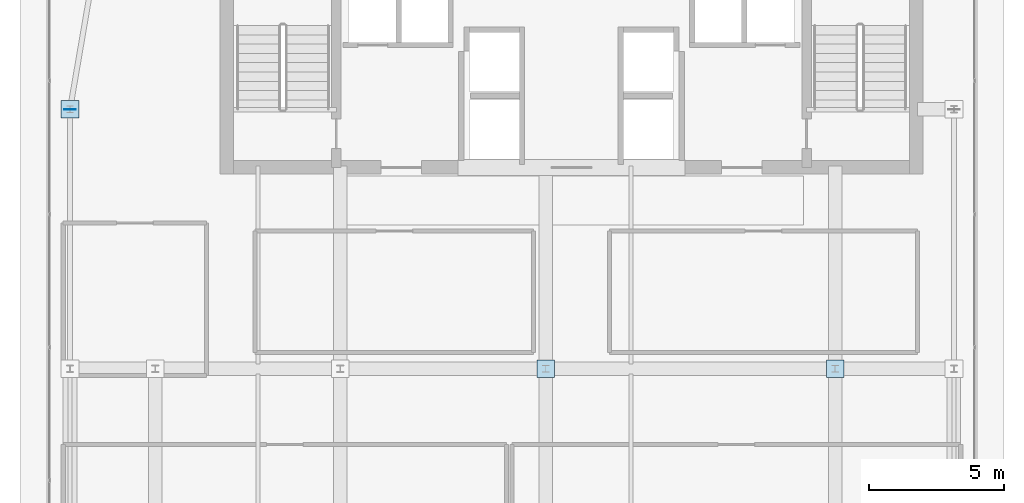
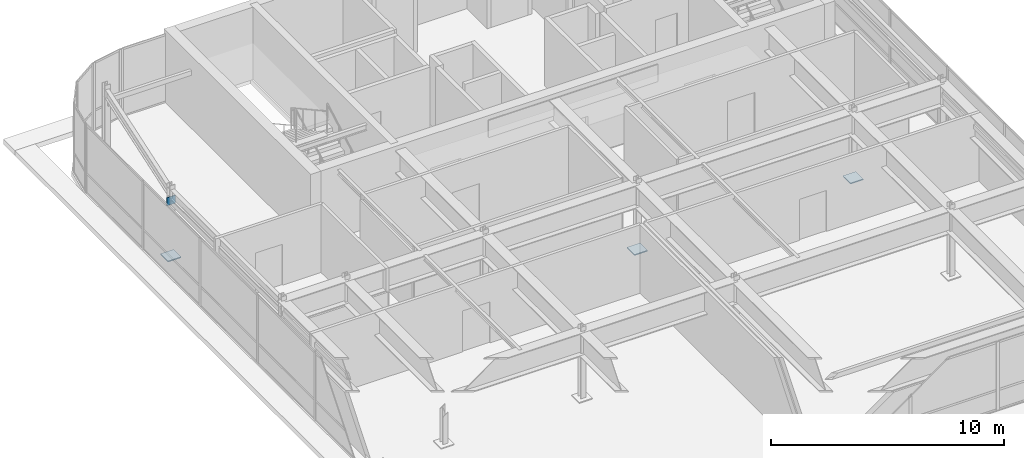
# One storey, part 30 of 35: 4 plates.
"""IFC4 building model written with IfcOpenShell, lengths in metres."""

import ifcopenshell
import ifcopenshell.guid

model = None  # the IFC model being written
_history = None  # IfcOwnerHistory: only IFC2X3 demands one
_inside = {}  # id of a spatial element -> (the spatial element, [elements in it])
_under = {}  # id of a project, library or spatial element -> (it, [spatial elements below it])
_declared = {}  # id of a project -> (the project, [libraries it declares])
_typed = {}  # id of a type object -> (the type object, [elements of that type])
_made_of = {}  # id of a material, layer set ... -> (it, [elements and type objects made of it])


def new_model(schema):
    """Start an empty IFC model of exactly this schema.

    Asked for "IFC4X3", IfcOpenShell would pick the latest addendum, in which some entities
    have other attributes; the version numbers below select the first issue.
    IFC2X3 requires an IfcOwnerHistory on every rooted entity: one is made here for all.
    """
    global model, _history
    if schema == "IFC4X3":
        model = ifcopenshell.file(schema_version=(4, 3, 0, 0))
    else:
        model = ifcopenshell.file(schema=schema)
    _inside.clear()
    _under.clear()
    _declared.clear()
    _typed.clear()
    _made_of.clear()
    _history = None
    if model.schema == "IFC2X3":
        org = make("IfcOrganization", Name="unknown")
        user = make(
            "IfcPersonAndOrganization",
            ThePerson=make("IfcPerson", FamilyName="unknown"),
            TheOrganization=org,
        )
        app = make(
            "IfcApplication",
            ApplicationDeveloper=org,
            Version="unknown",
            ApplicationFullName="unknown",
            ApplicationIdentifier="unknown",
        )
        _history = make(
            "IfcOwnerHistory",
            OwningUser=user,
            OwningApplication=app,
            ChangeAction="ADDED",
            CreationDate=0,
        )
    return model


def make(cls, **values):
    """One entity of the class cls with the attributes given. An attribute that is None is left unset."""
    return model.create_entity(
        cls, **{name: value for name, value in values.items() if value is not None}
    )


def rooted(cls, **values):
    """An entity with a GlobalId (a new one), such as an element, a storey or a relation."""
    return make(cls, GlobalId=ifcopenshell.guid.new(), OwnerHistory=_history, **values)


def si_unit(unit_type, name, prefix=None):
    """IfcSIUnit, for example si_unit("LENGTHUNIT", "METRE", prefix="MILLI")."""
    return make("IfcSIUnit", UnitType=unit_type, Prefix=prefix, Name=name)


def assignment(units):
    """IfcUnitAssignment: the units of a project."""
    return None if units is None else make("IfcUnitAssignment", Units=units)


def point(xyz):
    """IfcCartesianPoint."""
    return None if xyz is None else make("IfcCartesianPoint", Coordinates=xyz)


def direction(xyz):
    """IfcDirection."""
    return None if xyz is None else make("IfcDirection", DirectionRatios=xyz)


def frame(location, z_axis=None, x_axis=None):
    """IfcAxis2Placement3D, a coordinate frame: its origin and axes. An axis left out is left unset."""
    return make(
        "IfcAxis2Placement3D",
        Location=point(location),
        Axis=direction(z_axis),
        RefDirection=direction(x_axis),
    )


def frame_2d(location, x_axis=None):
    """IfcAxis2Placement2D, a coordinate frame in the plane: its origin and x axis."""
    return make(
        "IfcAxis2Placement2D", Location=point(location), RefDirection=direction(x_axis)
    )


def origin():
    """The frame at (0, 0, 0) with its axes left unset."""
    return frame((0.0, 0.0, 0.0))


def origin_2d():
    """The frame at (0, 0) in the plane with its x axis left unset."""
    return frame_2d((0.0, 0.0))


def place(relative_to, where):
    """IfcLocalPlacement: puts the frame where relative to a parent placement (None: the world)."""
    return make(
        "IfcLocalPlacement", PlacementRelTo=relative_to, RelativePlacement=where
    )


def context(
    kind, dimensions, precision=None, world=None, true_north=None, identifier=None
):
    """IfcGeometricRepresentationContext, for example the 3D "Model" context."""
    return make(
        "IfcGeometricRepresentationContext",
        ContextIdentifier=identifier,
        ContextType=kind,
        CoordinateSpaceDimension=dimensions,
        Precision=precision,
        WorldCoordinateSystem=world,
        TrueNorth=true_north,
    )


def subcontext(parent, identifier, kind, view, scale=None):
    """IfcGeometricRepresentationSubContext, for example "Body" below "Model"."""
    return make(
        "IfcGeometricRepresentationSubContext",
        ContextIdentifier=identifier,
        ContextType=kind,
        ParentContext=parent,
        TargetScale=scale,
        TargetView=view,
    )


def project(units=None, contexts=None):
    """IfcProject with its units and contexts."""
    return rooted(
        "IfcProject",
        Name="project",
        RepresentationContexts=contexts,
        UnitsInContext=assignment(units),
    )


def spatial(cls, under=None, at=None, **own):
    """A site, building, storey or space (cls), placed at a placement, below another one or the project."""
    s = rooted(cls, ObjectPlacement=at, **own)
    if under is not None:
        _under.setdefault(under.id(), (under, []))[1].append(s)
    return s


def profile(cls, at=None, kind="AREA", **sizes):
    """A parametric profile (cls). Its sizes go by their IFC names, for example OverallWidth=200.0."""
    return make(cls, ProfileType=kind, Position=at, **sizes)


def rectangle(**sizes):
    """IfcRectangleProfileDef."""
    return profile("IfcRectangleProfileDef", **sizes)


def extrude(swept, where, along, depth):
    """IfcExtrudedAreaSolid: the profile swept, set in the frame where, extruded along a direction by depth."""
    return make(
        "IfcExtrudedAreaSolid",
        SweptArea=swept,
        Position=where,
        ExtrudedDirection=direction(along),
        Depth=depth,
    )


def shape(context_of_items, identifier, shape_type, items):
    """IfcShapeRepresentation: the items that make up one representation, for example the "Body"."""
    return make(
        "IfcShapeRepresentation",
        ContextOfItems=context_of_items,
        RepresentationIdentifier=identifier,
        RepresentationType=shape_type,
        Items=items,
    )


def source(mapping_origin, context_of_items, identifier, shape_type, items):
    """IfcRepresentationMap: a shape defined once, which mapped items show again and again."""
    return make(
        "IfcRepresentationMap",
        MappingOrigin=mapping_origin,
        MappedRepresentation=shape(context_of_items, identifier, shape_type, items),
    )


def transform(
    local_origin,
    x_axis=None,
    y_axis=None,
    z_axis=None,
    scale=None,
    scale2=None,
    scale3=None,
    uniform=True,
):
    """IfcCartesianTransformationOperator3D, or its non-uniform kind. x_axis, y_axis, z_axis: its Axis1, 2, 3."""
    if uniform:
        return make(
            "IfcCartesianTransformationOperator3D",
            Axis1=direction(x_axis),
            Axis2=direction(y_axis),
            LocalOrigin=point(local_origin),
            Scale=scale,
            Axis3=direction(z_axis),
        )
    return make(
        "IfcCartesianTransformationOperator3DnonUniform",
        Axis1=direction(x_axis),
        Axis2=direction(y_axis),
        LocalOrigin=point(local_origin),
        Scale=scale,
        Axis3=direction(z_axis),
        Scale2=scale2,
        Scale3=scale3,
    )


def mapped(mapping_source, mapping_target):
    """IfcMappedItem: shows the shape of a source again, moved by a transform."""
    return make(
        "IfcMappedItem", MappingSource=mapping_source, MappingTarget=mapping_target
    )


def material(Name=None, Category=None):
    """IfcMaterial."""
    return make("IfcMaterial", Name=Name, Category=Category)


def layer(
    of_material, thickness, ventilated=None, Name=None, Category=None, Priority=None
):
    """IfcMaterialLayer: one layer of a wall or slab, of a material (None: an air gap)."""
    return make(
        "IfcMaterialLayer",
        Material=of_material,
        LayerThickness=thickness,
        IsVentilated=ventilated,
        Name=Name,
        Category=Category,
        Priority=Priority,
    )


def layer_set(layers, Name=None):
    """IfcMaterialLayerSet."""
    return make("IfcMaterialLayerSet", MaterialLayers=layers, LayerSetName=Name)


def made_of(thing, what):
    """Note that an element or type object is made of a material, layer set ...; save() writes the relation."""
    if what is not None:
        _made_of.setdefault(what.id(), (what, []))[1].append(thing)
    return thing


def type_object(cls, material=None, **own):
    """A type object (cls), such as IfcWallType, which elements share."""
    return made_of(rooted(cls, **own), material)


def type_shapes(of_type, sources):
    """Give a type object the sources (RepresentationMaps) that its elements show as mapped items."""
    of_type.RepresentationMaps = sources


def element(
    cls,
    number,
    at=None,
    inside=None,
    cuts=None,
    type_object=None,
    material=None,
    context=None,
    identifier="Body",
    shape_type=None,
    held_by="IfcProductDefinitionShape",
    body=None,
    shapes=None,
    **own,
):
    """One element of the class cls, such as IfcWall. Its Tag is "e" and its number.

    at: its placement. inside: the storey or other place that contains it. cuts: it is an
    opening in that element (IfcRelVoidsElement). A single representation is given by context,
    identifier, shape_type and body (its items); several are given by shapes. held_by: the class
    of the entity that holds the representations. save() writes the other relations.
    """
    e = rooted(cls, Tag="e%d" % number, ObjectPlacement=at, **own)
    if body is not None:
        shapes = [shape(context, identifier, shape_type, body)]
    if shapes is not None:
        e.Representation = make(held_by, Representations=shapes)
    if inside is not None:
        _inside.setdefault(inside.id(), (inside, []))[1].append(e)
    if cuts is not None:
        rooted(
            "IfcRelVoidsElement", RelatingBuildingElement=cuts, RelatedOpeningElement=e
        )
    if type_object is not None:
        _typed.setdefault(type_object.id(), (type_object, []))[1].append(e)
    return made_of(e, material)


def aggregate(whole, parts):
    """IfcRelAggregates: a whole, such as a stair, and the parts it consists of."""
    return rooted("IfcRelAggregates", RelatingObject=whole, RelatedObjects=parts)


def save(model, path):
    """Write the relations noted so far, then the file.

    IfcRelAggregates (storeys below a building ...), IfcRelContainedInSpatialStructure (elements
    in a storey), IfcRelDefinesByType, IfcRelAssociatesMaterial and IfcRelDeclares: one each for
    every whole, place, type object, material and project.
    """
    for whole, parts in _under.values():
        aggregate(whole, parts)
    for where, things in _inside.values():
        rooted(
            "IfcRelContainedInSpatialStructure",
            RelatedElements=things,
            RelatingStructure=where,
        )
    for kind, things in _typed.values():
        rooted("IfcRelDefinesByType", RelatedObjects=things, RelatingType=kind)
    for what, things in _made_of.values():
        rooted("IfcRelAssociatesMaterial", RelatedObjects=things, RelatingMaterial=what)
    for by, libraries in _declared.values():
        rooted("IfcRelDeclares", RelatingContext=by, RelatedDefinitions=libraries)
    model.write(path)


model = new_model("IFC4")

# Units and contexts
model_context = context("Model", 3, precision=1e-05, world=origin(), true_north=direction((0.0, 1.0)))
body_context = subcontext(model_context, "Body", "Model", "MODEL_VIEW")
ifc_project = project(units=[si_unit("LENGTHUNIT", "METRE"), si_unit("AREAUNIT", "SQUARE_METRE"), si_unit("VOLUMEUNIT", "CUBIC_METRE"), si_unit("PLANEANGLEUNIT", "RADIAN"), si_unit("MASSUNIT", "GRAM", prefix="KILO")], contexts=[model_context])

# Site, building, storey
site_placement = place(None, origin())
site = spatial("IfcSite", under=ifc_project, at=site_placement, CompositionType="ELEMENT")
building_placement = place(site_placement, origin())
building = spatial("IfcBuilding", under=site, at=building_placement, Name="Tolvann Quenvar Hotel", CompositionType="ELEMENT")
storey_placement = place(building_placement, frame((0.0, 0.0, 290.949951171875)))
storey = spatial("IfcBuildingStorey", under=building, at=storey_placement, Name="L77", CompositionType="ELEMENT", Elevation=290.949951171875)

# Plates
ifc_material = material(Name="Steel Grade 350", Category="steel")
ifc_layer_1 = layer(ifc_material, 0.050048828125)
ifc_layer_set_1 = layer_set([ifc_layer_1], Name="Steel Grade 350")
plate_type_1 = type_object("IfcPlateType", Name="PLT_BASE_50", PredefinedType="SHEET", material=ifc_layer_set_1)
shared_shape_1 = source(origin(), body_context, "Body", "SweptSolid", [
    extrude(rectangle(XDim=0.64990234375, YDim=0.64990234375, at=origin_2d()), origin(), (0.0, 0.0, 1.0), 0.050048828125),
])
type_shapes(plate_type_1, [shared_shape_1])
for number, where, z_axis, x_axis, name in (
    (1, (22.050048828125, 24.39990234375, 0.0), (0.0, 0.0, 1.0), (1.0, 0.0, 0.0), "Crown Frame Base Plate E5"),
    (2, (32.75, 24.39990234375, 0.0), (0.0, 0.0, 1.0), (1.0, 0.0, 0.0), "Crown Frame Base Plate FP5"),
    (3, (4.449951171875, 34.0, 0.0), (0.0, 0.0, 1.0), (1.0, 0.0, 0.0), "Crown Frame Base Plate BD6"),
):
    element("IfcPlate", number, at=place(storey_placement, frame(where, z_axis=z_axis, x_axis=x_axis)), inside=storey, type_object=plate_type_1, Name=name, PredefinedType="SHEET", context=body_context, shape_type="MappedRepresentation", body=[
        mapped(shared_shape_1, transform((0.0, 0.0, 0.0), x_axis=(1.0, 0.0, 0.0), y_axis=(0.0, 1.0, 0.0), z_axis=(0.0, 0.0, 1.0), scale=1.0)),
    ])
ifc_layer_2 = layer(ifc_material, 0.02490234375)
ifc_layer_set_2 = layer_set([ifc_layer_2], Name="Steel Grade 350")
plate_type_2 = type_object("IfcPlateType", Name="PLT_ENDCAP_25", PredefinedType="SHEET", material=ifc_layer_set_2)
shared_shape_2 = source(origin(), body_context, "Body", "SweptSolid", [
    extrude(rectangle(XDim=0.419921875, YDim=0.02490234375, at=origin_2d()), origin(), (0.0, 0.0, 1.0), 0.419921875),
])
type_shapes(plate_type_2, [shared_shape_2])
plate_placement = place(storey_placement, frame((4.449951171875, 34.0, 2.719970703125), z_axis=(0.0, 0.0, 1.0), x_axis=(1.0, 0.0, 0.0)))
element("IfcPlate", 4, at=plate_placement, inside=storey, type_object=plate_type_2, Name="Crown Ring End Cap Plate EC-1 (L77-2-2)", PredefinedType="SHEET", context=body_context, shape_type="MappedRepresentation", body=[
    mapped(shared_shape_2, transform((0.0, 0.0, 0.0), x_axis=(1.0, 0.0, 0.0), y_axis=(0.0, 1.0, 0.0), z_axis=(0.0, 0.0, 1.0), scale=1.0)),
])

save(model, "model.ifc")
